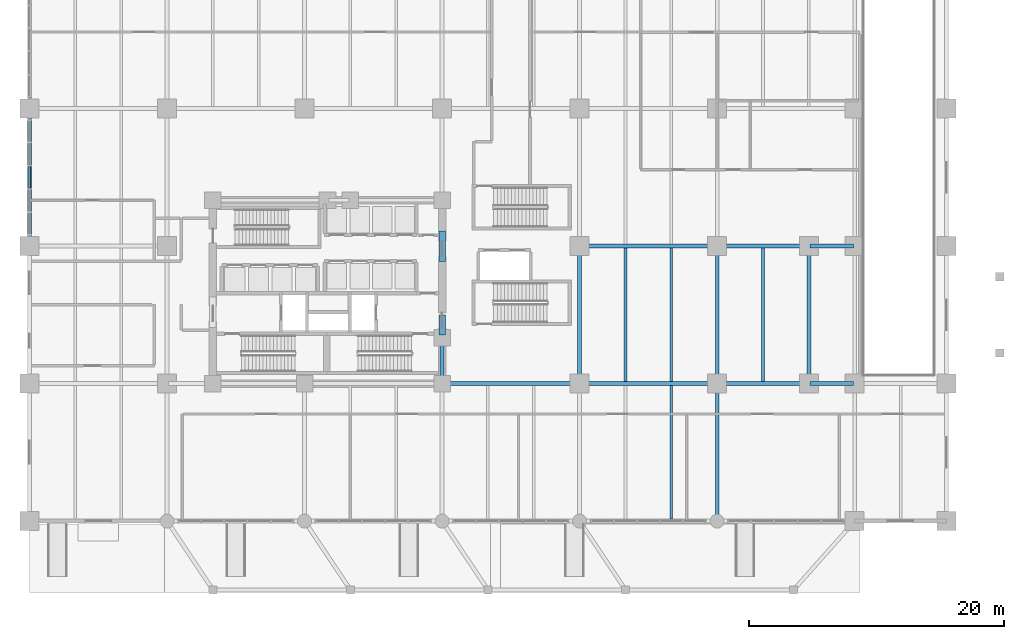
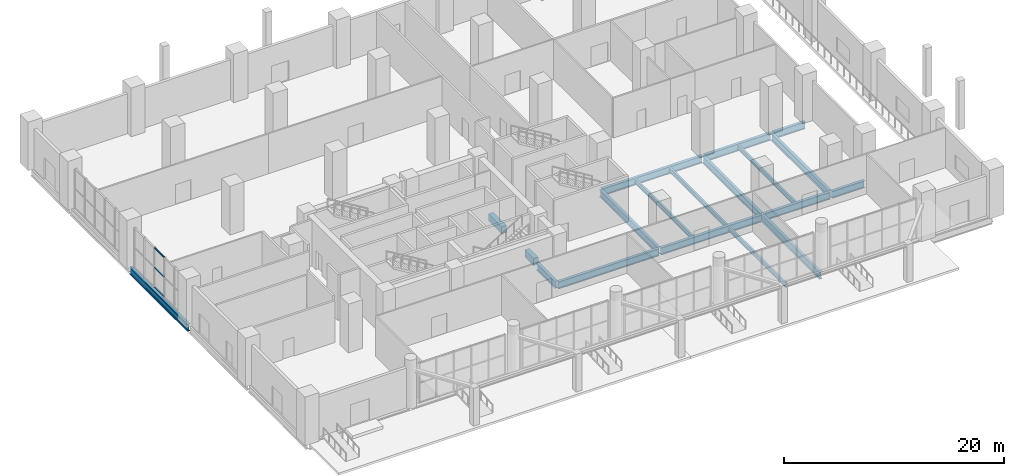
# One storey, part 9 of 22: 19 beams, 3 members, 1 element without a shape of its own.
"""IFC4 building model written with IfcOpenShell, lengths in metres."""

from ifc_helpers import new_model, si_unit, direction, frame, origin, origin_2d, place, context, subcontext, project, spatial, rectangle, hollow_rectangle, i_section, extrude, material, layer, layer_set, material_profile, profile_set, type_object, element, aggregate, save


model = new_model("IFC4")

# Units and contexts
model_context = context("Model", 3, precision=1e-05, world=origin(), true_north=direction((0.0, 1.0)))
body_context = subcontext(model_context, "Body", "Model", "MODEL_VIEW")
ifc_project = project(units=[si_unit("LENGTHUNIT", "METRE"), si_unit("AREAUNIT", "SQUARE_METRE"), si_unit("VOLUMEUNIT", "CUBIC_METRE"), si_unit("PLANEANGLEUNIT", "RADIAN"), si_unit("MASSUNIT", "GRAM", prefix="KILO")], contexts=[model_context])

# Site, building, storey
site_placement = place(None, origin())
site = spatial("IfcSite", under=ifc_project, at=site_placement, CompositionType="ELEMENT")
building_placement = place(site_placement, origin())
building = spatial("IfcBuilding", under=site, at=building_placement, Name="Solnavia Interchange Tower", CompositionType="ELEMENT")
storey_placement = place(building_placement, origin())
storey = spatial("IfcBuildingStorey", under=building, at=storey_placement, Name="L00", CompositionType="ELEMENT", Elevation=0.0)

# Beams
ifc_material_1 = material(Name="Concrete C50/60", Category="concrete")
ifc_material_profile_1 = material_profile(ifc_material_1, rectangle(XDim=0.5, YDim=0.800048828125, at=origin_2d()), Name="RC 500x800")
ifc_profile_set_1 = profile_set([ifc_material_profile_1], Name="Concrete C50/60")
beam_type_1 = type_object("IfcBeamType", Name="Beam-Coupling-RC500x800", PredefinedType="LINTEL", material=ifc_profile_set_1)
beam_1_placement = place(storey_placement, frame((32.39990234375, 14.60009765625, -0.39990234375), z_axis=(0.0, 1.0, 0.0), x_axis=(-1.0, 0.0, 0.0)))
element("IfcBeam", 1, at=beam_1_placement, inside=storey, type_object=beam_type_1, Name="CPB-L00-E1 Core coupling lintel beam", PredefinedType="LINTEL", context=body_context, shape_type="SweptSolid", body=[
    extrude(rectangle(XDim=0.5, YDim=0.800048828125, at=origin_2d()), origin(), (0.0, 0.0, 1.0), 1.599853515625),
])
beam_2_placement = place(storey_placement, frame((32.39990234375, 20.39990234375, -0.39990234375), z_axis=(0.0, 1.0, 0.0), x_axis=(-1.0, 0.0, 0.0)))
element("IfcBeam", 2, at=beam_2_placement, inside=storey, type_object=beam_type_1, Name="CPB-L00-E2 Core coupling lintel beam", PredefinedType="LINTEL", context=body_context, shape_type="SweptSolid", body=[
    extrude(rectangle(XDim=0.5, YDim=0.800048828125, at=origin_2d()), origin(), (0.0, 0.0, 1.0), 2.400146484375),
])
ifc_material_2 = material(Name="Steel S460", Category="steel")
ifc_material_profile_2 = material_profile(ifc_material_2, i_section(OverallWidth=0.300048828125, OverallDepth=0.800048828125, WebThickness=0.017578125, FlangeThickness=0.032958984375, FilletRadius=0.030029296875, at=origin_2d()), Name="HEB 800")
ifc_profile_set_2 = profile_set([ifc_material_profile_2], Name="Steel S460")
beam_type_2 = type_object("IfcBeamType", Name="Beam-Girder-HEB800", PredefinedType="BEAM", material=ifc_profile_set_2)
beam_3_placement = place(storey_placement, frame((32.5, 10.800048828125, -0.75), z_axis=(1.0, 0.0, 0.0), x_axis=(0.0, 1.0, 0.0)))
element("IfcBeam", 3, at=beam_3_placement, inside=storey, type_object=beam_type_2, Name="GRD-L00-12 Podium primary girder", PredefinedType="BEAM", context=body_context, shape_type="SweptSolid", body=[
    extrude(i_section(OverallWidth=0.300048828125, OverallDepth=0.800048828125, WebThickness=0.017578125, FlangeThickness=0.032958984375, FilletRadius=0.030029296875, at=origin_2d()), origin(), (0.0, 0.0, 1.0), 10.60009765625),
])
beam_4_placement = place(storey_placement, frame((43.300048828125, 10.800048828125, -0.75), z_axis=(1.0, 0.0, 0.0), x_axis=(0.0, 1.0, 0.0)))
element("IfcBeam", 4, at=beam_4_placement, inside=storey, type_object=beam_type_2, Name="GRD-L00-13 Podium primary girder", PredefinedType="BEAM", context=body_context, shape_type="SweptSolid", body=[
    extrude(i_section(OverallWidth=0.300048828125, OverallDepth=0.800048828125, WebThickness=0.017578125, FlangeThickness=0.032958984375, FilletRadius=0.030029296875, at=origin_2d()), origin(), (0.0, 0.0, 1.0), 10.599853515625),
])
beam_5_placement = place(storey_placement, frame((54.10009765625, 10.800048828125, -0.75), z_axis=(1.0, 0.0, 0.0), x_axis=(0.0, 1.0, 0.0)))
element("IfcBeam", 5, at=beam_5_placement, inside=storey, type_object=beam_type_2, Name="GRD-L00-14 Podium primary girder", PredefinedType="BEAM", context=body_context, shape_type="SweptSolid", body=[
    extrude(i_section(OverallWidth=0.300048828125, OverallDepth=0.800048828125, WebThickness=0.017578125, FlangeThickness=0.032958984375, FilletRadius=0.030029296875, at=origin_2d()), origin(), (0.0, 0.0, 1.0), 7.0),
])
beam_6_placement = place(storey_placement, frame((61.300048828125, 10.800048828125, -0.75), z_axis=(1.0, 0.0, 0.0), x_axis=(0.0, 1.0, 0.0)))
element("IfcBeam", 6, at=beam_6_placement, inside=storey, type_object=beam_type_2, Name="GRD-L00-15 Podium primary girder", PredefinedType="BEAM", context=body_context, shape_type="SweptSolid", body=[
    extrude(i_section(OverallWidth=0.300048828125, OverallDepth=0.800048828125, WebThickness=0.017578125, FlangeThickness=0.032958984375, FilletRadius=0.030029296875, at=origin_2d()), origin(), (0.0, 0.0, 1.0), 3.39990234375),
])
beam_7_placement = place(storey_placement, frame((43.300048828125, 21.60009765625, -0.75), z_axis=(1.0, 0.0, 0.0), x_axis=(0.0, 1.0, 0.0)))
element("IfcBeam", 7, at=beam_7_placement, inside=storey, type_object=beam_type_2, Name="GRD-L00-18 Podium primary girder", PredefinedType="BEAM", context=body_context, shape_type="SweptSolid", body=[
    extrude(i_section(OverallWidth=0.300048828125, OverallDepth=0.800048828125, WebThickness=0.017578125, FlangeThickness=0.032958984375, FilletRadius=0.030029296875, at=origin_2d()), origin(), (0.0, 0.0, 1.0), 10.599853515625),
])
beam_8_placement = place(storey_placement, frame((54.10009765625, 21.60009765625, -0.75), z_axis=(1.0, 0.0, 0.0), x_axis=(0.0, 1.0, 0.0)))
element("IfcBeam", 8, at=beam_8_placement, inside=storey, type_object=beam_type_2, Name="GRD-L00-19 Podium primary girder", PredefinedType="BEAM", context=body_context, shape_type="SweptSolid", body=[
    extrude(i_section(OverallWidth=0.300048828125, OverallDepth=0.800048828125, WebThickness=0.017578125, FlangeThickness=0.032958984375, FilletRadius=0.030029296875, at=origin_2d()), origin(), (0.0, 0.0, 1.0), 7.0),
])
beam_9_placement = place(storey_placement, frame((61.300048828125, 21.60009765625, -0.75), z_axis=(1.0, 0.0, 0.0), x_axis=(0.0, 1.0, 0.0)))
element("IfcBeam", 9, at=beam_9_placement, inside=storey, type_object=beam_type_2, Name="GRD-L00-20 Podium primary girder", PredefinedType="BEAM", context=body_context, shape_type="SweptSolid", body=[
    extrude(i_section(OverallWidth=0.300048828125, OverallDepth=0.800048828125, WebThickness=0.017578125, FlangeThickness=0.032958984375, FilletRadius=0.030029296875, at=origin_2d()), origin(), (0.0, 0.0, 1.0), 3.39990234375),
])
beam_10_placement = place(storey_placement, frame((0.0, 21.699951171875, -0.75), z_axis=(0.0, 1.0, 0.0), x_axis=(-1.0, 0.0, 0.0)))
element("IfcBeam", 10, at=beam_10_placement, inside=storey, type_object=beam_type_2, Name="GRD-L00-45 Podium primary girder", PredefinedType="BEAM", context=body_context, shape_type="SweptSolid", body=[
    extrude(i_section(OverallWidth=0.300048828125, OverallDepth=0.800048828125, WebThickness=0.017578125, FlangeThickness=0.032958984375, FilletRadius=0.030029296875, at=origin_2d()), origin(), (0.0, 0.0, 1.0), 10.60009765625),
])
beam_11_placement = place(storey_placement, frame((32.39990234375, 10.89990234375, -0.75), z_axis=(0.0, 1.0, 0.0), x_axis=(-1.0, 0.0, 0.0)))
element("IfcBeam", 11, at=beam_11_placement, inside=storey, type_object=beam_type_2, Name="GRD-L00-57 Podium primary girder", PredefinedType="BEAM", context=body_context, shape_type="SweptSolid", body=[
    extrude(i_section(OverallWidth=0.300048828125, OverallDepth=0.800048828125, WebThickness=0.017578125, FlangeThickness=0.032958984375, FilletRadius=0.030029296875, at=origin_2d()), origin(), (0.0, 0.0, 1.0), 3.400146484375),
])
beam_12_placement = place(storey_placement, frame((43.199951171875, 10.89990234375, -0.75), z_axis=(0.0, 1.0, 0.0), x_axis=(-1.0, 0.0, 0.0)))
element("IfcBeam", 12, at=beam_12_placement, inside=storey, type_object=beam_type_2, Name="GRD-L00-62 Podium primary girder", PredefinedType="BEAM", context=body_context, shape_type="SweptSolid", body=[
    extrude(i_section(OverallWidth=0.300048828125, OverallDepth=0.800048828125, WebThickness=0.017578125, FlangeThickness=0.032958984375, FilletRadius=0.030029296875, at=origin_2d()), origin(), (0.0, 0.0, 1.0), 10.60009765625),
])
beam_13_placement = place(storey_placement, frame((54.0, 0.10009765625, -0.75), z_axis=(0.0, 1.0, 0.0), x_axis=(-1.0, 0.0, 0.0)))
element("IfcBeam", 13, at=beam_13_placement, inside=storey, type_object=beam_type_2, Name="GRD-L00-66 Podium primary girder", PredefinedType="BEAM", context=body_context, shape_type="SweptSolid", body=[
    extrude(i_section(OverallWidth=0.300048828125, OverallDepth=0.800048828125, WebThickness=0.017578125, FlangeThickness=0.032958984375, FilletRadius=0.030029296875, at=origin_2d()), origin(), (0.0, 0.0, 1.0), 10.599853515625),
])
for number, where, z_axis, x_axis, name in (
    (14, (54.0, 10.89990234375, -0.75), (0.0, 1.0, 0.0), (-1.0, 0.0, 0.0), "GRD-L00-67 Podium primary girder"),
    (15, (61.199951171875, 10.89990234375, -0.75), (0.0, 1.0, 0.0), (-1.0, 0.0, 0.0), "GRD-L00-71 Podium primary girder"),
):
    element("IfcBeam", number, at=place(storey_placement, frame(where, z_axis=z_axis, x_axis=x_axis)), inside=storey, type_object=beam_type_2, Name=name, PredefinedType="BEAM", context=body_context, shape_type="SweptSolid", body=[
        extrude(i_section(OverallWidth=0.300048828125, OverallDepth=0.800048828125, WebThickness=0.017578125, FlangeThickness=0.032958984375, FilletRadius=0.030029296875, at=origin_2d()), origin(), (0.0, 0.0, 1.0), 10.60009765625),
    ])
ifc_material_3 = material(Name="Steel S355", Category="steel")
ifc_material_profile_3 = material_profile(ifc_material_3, i_section(OverallWidth=0.199951171875, OverallDepth=0.5, WebThickness=0.01025390625, FlangeThickness=0.01611328125, FilletRadius=0.02099609375, at=origin_2d()), Name="IPE 500")
ifc_profile_set_3 = profile_set([ifc_material_profile_3], Name="Steel S355")
beam_type_3 = type_object("IfcBeamType", Name="Beam-Joist-IPE500", PredefinedType="JOIST", material=ifc_profile_set_3)
for number, where, z_axis, x_axis, name in (
    (16, (46.800048828125, 10.949951171875, -0.60009765625), (0.0, 1.0, 0.0), (-1.0, 0.0, 0.0), "JST-L00-28 Podium composite floor joist"),
    (17, (50.39990234375, 0.14990234375, -0.60009765625), (0.0, 1.0, 0.0), (-1.0, 0.0, 0.0), "JST-L00-32 Podium composite floor joist"),
    (18, (50.39990234375, 10.949951171875, -0.60009765625), (0.0, 1.0, 0.0), (-1.0, 0.0, 0.0), "JST-L00-33 Podium composite floor joist"),
    (19, (57.60009765625, 10.949951171875, -0.60009765625), (0.0, 1.0, 0.0), (-1.0, 0.0, 0.0), "JST-L00-37 Podium composite floor joist"),
):
    element("IfcBeam", number, at=place(storey_placement, frame(where, z_axis=z_axis, x_axis=x_axis)), inside=storey, type_object=beam_type_3, Name=name, PredefinedType="JOIST", context=body_context, shape_type="SweptSolid", body=[
        extrude(i_section(OverallWidth=0.199951171875, OverallDepth=0.5, WebThickness=0.01025390625, FlangeThickness=0.01611328125, FilletRadius=0.02099609375, at=origin_2d()), origin(), (0.0, 0.0, 1.0), 10.5),
    ])

# Curtain wall, members
ifc_material_4 = material(Name="Aluminium Alloy 6063-T6", Category="aluminium")
ifc_layer = layer(ifc_material_4, 0.27001953125)
ifc_layer_set = layer_set([ifc_layer], Name="Aluminium Alloy 6063-T6")
curtain_wall_type = type_object("IfcCurtainWallType", Name="CurtainWall-Podium-CTW1", PredefinedType="NOTDEFINED", material=ifc_layer_set)
curtain_wall_placement = place(storey_placement, origin())
curtain_wall = element("IfcCurtainWall", 20, at=curtain_wall_placement, inside=storey, type_object=curtain_wall_type, Name="CTW-L00-W21 CTW-1 curtain wall", PredefinedType="NOTDEFINED")
ifc_material_profile_4 = material_profile(ifc_material_4, hollow_rectangle(XDim=0.070068359375, YDim=0.14990234375, WallThickness=0.00439453125, at=origin_2d()), Name="ALU 150x70x4.5")
ifc_profile_set_4 = profile_set([ifc_material_profile_4], Name="Aluminium Alloy 6063-T6")
member_type = type_object("IfcMemberType", Name="CW-Transom-CWT-1", PredefinedType="USERDEFINED", material=ifc_profile_set_4)
member_1_placement = place(storey_placement, frame((0.0, 26.1279296875, 0.034912109375), z_axis=(0.0, 1.0, 0.0), x_axis=(0.0, 0.0, 1.0)))
member_1 = element("IfcMember", 21, at=member_1_placement, type_object=member_type, Name="CTW-1 transom 3.1", ObjectType="TRANSOM", PredefinedType="USERDEFINED", context=body_context, shape_type="SweptSolid", body=[
    extrude(hollow_rectangle(XDim=0.070068359375, YDim=0.14990234375, WallThickness=0.00439453125, at=origin_2d()), origin(), (0.0, 0.0, 1.0), 1.744140625),
])
member_2_placement = place(storey_placement, frame((0.0, 26.1279296875, 2.215087890625), z_axis=(0.0, 1.0, 0.0), x_axis=(0.0, 0.0, 1.0)))
member_2 = element("IfcMember", 22, at=member_2_placement, type_object=member_type, Name="CTW-1 transom 3.2", ObjectType="TRANSOM", PredefinedType="USERDEFINED", context=body_context, shape_type="SweptSolid", body=[
    extrude(hollow_rectangle(XDim=0.070068359375, YDim=0.14990234375, WallThickness=0.00439453125, at=origin_2d()), origin(), (0.0, 0.0, 1.0), 1.744140625),
])
member_3_placement = place(storey_placement, frame((0.0, 26.1279296875, 4.39501953125), z_axis=(0.0, 1.0, 0.0), x_axis=(0.0, 0.0, 1.0)))
member_3 = element("IfcMember", 23, at=member_3_placement, type_object=member_type, Name="CTW-1 transom 3.3", ObjectType="TRANSOM", PredefinedType="USERDEFINED", context=body_context, shape_type="SweptSolid", body=[
    extrude(hollow_rectangle(XDim=0.070068359375, YDim=0.14990234375, WallThickness=0.00439453125, at=origin_2d()), origin(), (0.0, 0.0, 1.0), 1.744140625),
])
aggregate(curtain_wall, [member_1, member_2, member_3])

save(model, "model.ifc")
